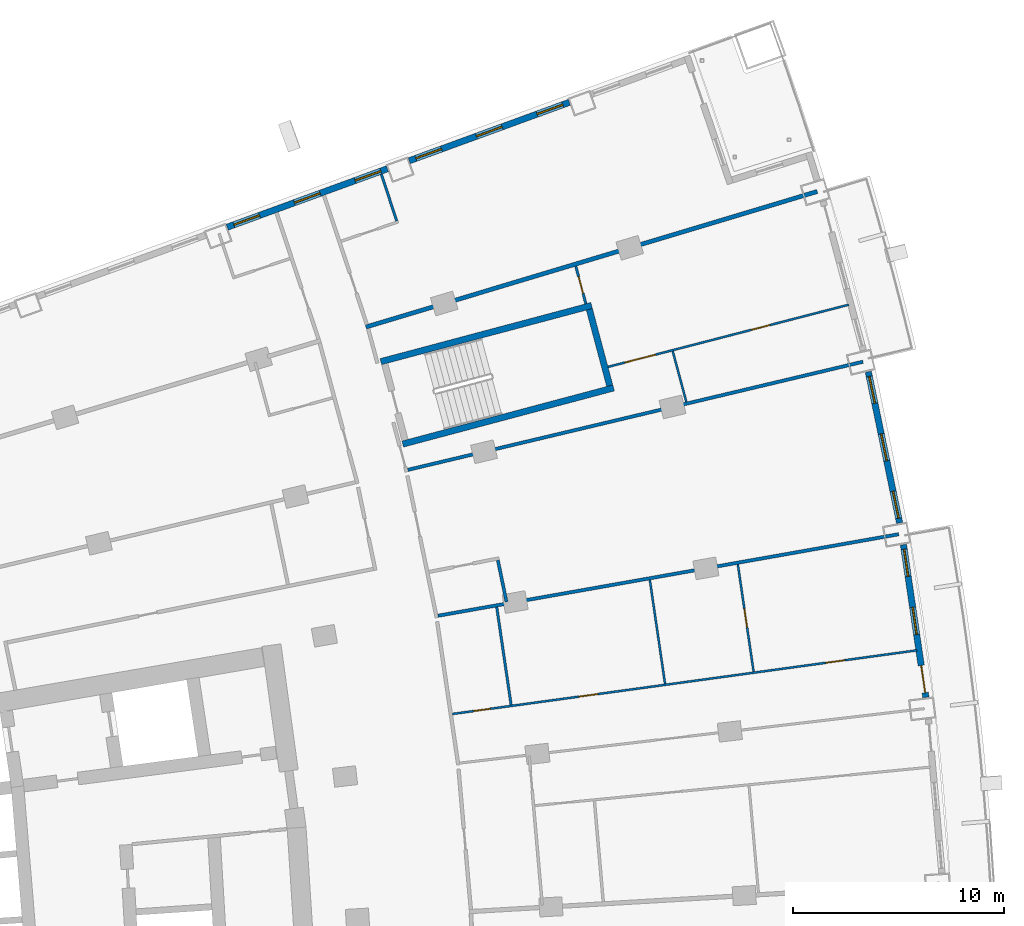
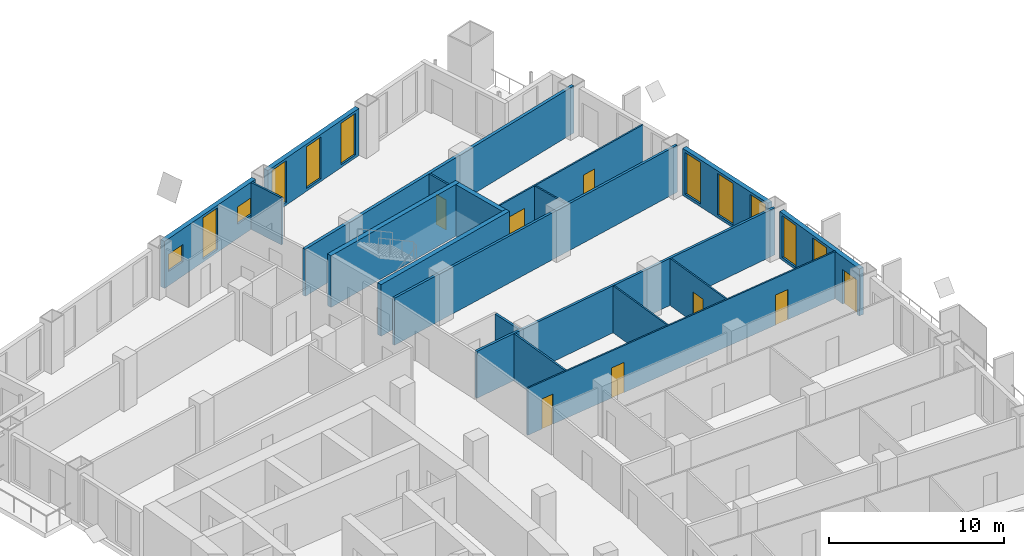
# One storey, part 20 of 24: 19 walls, 11 windows, 8 doors, 19 openings.
"""IFC4 building model written with IfcOpenShell, lengths in metres."""

from ifc_helpers import new_model, si_unit, direction, frame, frame_2d, origin, place, context, subcontext, project, spatial, rectangle, extrude, material, layer, layer_set, type_object, element, fill, save


model = new_model("IFC4")

# Units and contexts
model_context = context("Model", 3, precision=1e-05, world=origin(), true_north=direction((0.0, 1.0)))
body_context = subcontext(model_context, "Body", "Model", "MODEL_VIEW")
ifc_project = project(units=[si_unit("LENGTHUNIT", "METRE"), si_unit("AREAUNIT", "SQUARE_METRE"), si_unit("VOLUMEUNIT", "CUBIC_METRE"), si_unit("PLANEANGLEUNIT", "RADIAN"), si_unit("MASSUNIT", "GRAM", prefix="KILO")], contexts=[model_context])

# Site, building, storey
site_placement = place(None, origin())
site = spatial("IfcSite", under=ifc_project, at=site_placement, CompositionType="ELEMENT")
building_placement = place(site_placement, origin())
building = spatial("IfcBuilding", under=site, at=building_placement, Name="Alderwake Tower", CompositionType="ELEMENT")
storey_placement = place(building_placement, frame((0.0, 0.0, 39.199951171875)))
storey = spatial("IfcBuildingStorey", under=building, at=storey_placement, Name="L08", CompositionType="ELEMENT", Elevation=39.199951171875)

# Walls
ifc_material_1 = material(Name="Concrete C70/85", Category="concrete")
ifc_layer_1 = layer(ifc_material_1, 0.300048828125)
ifc_layer_set_1 = layer_set([ifc_layer_1], Name="Core wall stair enclosure 300 C70-85")
wall_type_1 = type_object("IfcWallType", Name="Core wall stair enclosure 300 C70-85", PredefinedType="SHEAR", material=ifc_layer_set_1)
for number, where, z_axis, x_axis, name in (
    (1, (36.71142578125, 94.182373046875, 0.0), (0.0, 0.0, 1.0), (0.966309214305, 0.257383958996, 0.0), "Core wall CW.082"),
    (2, (37.75390625, 90.268798828125, 0.0), (0.0, 0.0, 1.0), (0.966309214305, 0.257383958996, 0.0), "Core wall CW.084"),
):
    element("IfcWall", number, at=place(storey_placement, frame(where, z_axis=z_axis, x_axis=x_axis)), inside=storey, type_object=wall_type_1, Name=name, PredefinedType="SHEAR", context=body_context, shape_type="SweptSolid", body=[
        extrude(rectangle(XDim=10.360107421875, YDim=0.300048828125, at=frame_2d((5.18017578125, 0.0))), origin(), (0.0, 0.0, 1.0), 3.60009765625),
    ])
wall_1_placement = place(storey_placement, frame((47.581298828125, 93.041748046875, 0.0), z_axis=(0.0, 0.0, 1.0), x_axis=(-0.257366821694, 0.966313778796, 0.0)))
element("IfcWall", 3, at=wall_1_placement, inside=storey, type_object=wall_type_1, Name="Core wall CW.081", PredefinedType="SHEAR", context=body_context, shape_type="SweptSolid", body=[
    extrude(rectangle(XDim=3.749755859375, YDim=0.300048828125, at=frame_2d((1.875, 0.0))), origin(), (0.0, 0.0, 1.0), 3.60009765625),
])
ifc_material_2 = material(Name="Gypsum board on metal studs, rated")
ifc_layer_2 = layer(ifc_material_2, 0.159912109375)
ifc_layer_set_2 = layer_set([ifc_layer_2], Name="Corridor wall 160")
wall_type_2 = type_object("IfcWallType", Name="Corridor wall 160", PredefinedType="PARTITIONING", material=ifc_layer_set_2)
wall_2_placement = place(storey_placement, frame((37.994873046875, 89.04345703125, 0.0), z_axis=(0.0, 0.0, 1.0), x_axis=(0.972917524401, 0.231152526947, 0.0)))
element("IfcWall", 4, at=wall_2_placement, inside=storey, type_object=wall_type_2, Name="WL/L08/W35", PredefinedType="PARTITIONING", context=body_context, shape_type="SweptSolid", body=[
    extrude(rectangle(XDim=22.217041015625, YDim=0.159912109375, at=frame_2d((11.1083984375, 0.0))), origin(), (0.0, 0.0, 1.0), 3.280029296875),
])
wall_3_placement = place(storey_placement, frame((61.30810546875, 85.986083984375, 0.0), z_axis=(0.0, 0.0, 1.0), x_axis=(-0.984708919739, -0.174207759259, 0.0)))
element("IfcWall", 5, at=wall_3_placement, inside=storey, type_object=wall_type_2, Name="WL/L08/W43", PredefinedType="PARTITIONING", context=body_context, shape_type="SweptSolid", body=[
    extrude(rectangle(XDim=22.22119140625, YDim=0.159912109375, at=frame_2d((11.110595703125, 0.0))), origin(), (0.0, 0.0, 1.0), 3.280029296875),
])

# Wall, openings, door, windows
ifc_material_3 = material(Name="Precast concrete C50/60 spandrel panel", Category="concrete")
ifc_layer_3 = layer(ifc_material_3, 0.300048828125)
ifc_layer_set_3 = layer_set([ifc_layer_3], Name="External wall EW1 Precast concrete C50/60 spandrel")
wall_type_3 = type_object("IfcWallType", Name="External wall EW1 Precast concrete C50/60 spandrel", PredefinedType="SOLIDWALL", material=ifc_layer_set_3)
wall_4_placement = place(storey_placement, frame((62.59716796875, 78.240234375, 0.0), z_axis=(0.0, 0.0, 1.0), x_axis=(-0.145300273639, 0.989387603763, 0.0)))
wall_4 = element("IfcWall", 6, at=wall_4_placement, inside=storey, type_object=wall_type_3, Name="External wall 19", PredefinedType="SOLIDWALL", context=body_context, shape_type="SweptSolid", body=[
    extrude(rectangle(XDim=7.329345703125, YDim=0.300048828125, at=frame_2d((3.66455078125, 0.0))), origin(), (0.0, 0.0, 1.0), 3.280029296875),
])
opening_1_placement = place(wall_4_placement, frame((0.226806640625, 0.0, 0.0)))
opening_1 = element("IfcOpeningElement", 7, at=opening_1_placement, cuts=wall_4, Name="Opening D10", PredefinedType="OPENING", context=body_context, shape_type="SweptSolid", body=[
    extrude(rectangle(XDim=1.300048828125, YDim=2.39990234375, at=frame_2d((0.64990234375, 1.199951171875))), frame((0.0, 0.159912109375, 0.0), z_axis=(0.0, -1.0, 0.0), x_axis=(1.0, 0.0, 0.0)), (0.0, 0.0, 1.0), 0.320068359375),
])
opening_2_placement = place(wall_4_placement, frame((3.0146484375, 0.0, 0.199951171875)))
opening_2 = element("IfcOpeningElement", 8, at=opening_2_placement, cuts=wall_4, Name="Opening W1", PredefinedType="OPENING", context=body_context, shape_type="SweptSolid", body=[
    extrude(rectangle(XDim=1.300048828125, YDim=2.89990234375, at=frame_2d((0.64990234375, 1.449951171875))), frame((0.0, 0.159912109375, 0.0), z_axis=(0.0, -1.0, 0.0), x_axis=(1.0, 0.0, 0.0)), (0.0, 0.0, 1.0), 0.320068359375),
])
opening_3_placement = place(wall_4_placement, frame((5.802490234375, 0.0, 0.199951171875)))
opening_3 = element("IfcOpeningElement", 9, at=opening_3_placement, cuts=wall_4, Name="Opening W1", PredefinedType="OPENING", context=body_context, shape_type="SweptSolid", body=[
    extrude(rectangle(XDim=1.300048828125, YDim=2.89990234375, at=frame_2d((0.64990234375, 1.449951171875))), frame((0.0, 0.159912109375, 0.0), z_axis=(0.0, -1.0, 0.0), x_axis=(1.0, 0.0, 0.0)), (0.0, 0.0, 1.0), 0.320068359375),
])
ifc_material_4 = material(Name="Bronze tinted glass in aluminium frame", Category="aluminium")
door_type_1 = type_object("IfcDoorType", Name="Balcony door BD sliding", OperationType="SLIDING_TO_LEFT", PredefinedType="DOOR", material=ifc_material_4)
door_1_placement = place(opening_1_placement, origin())
door_1 = element("IfcDoor", 10, at=door_1_placement, inside=storey, type_object=door_type_1, Name="Door D10", OperationType="SLIDING_TO_LEFT", OverallHeight=2.39990234375, OverallWidth=1.300048828125, PredefinedType="DOOR", context=body_context, shape_type="SweptSolid", body=[
    extrude(rectangle(XDim=1.300048828125, YDim=2.39990234375, at=frame_2d((0.64990234375, 1.199951171875))), frame((0.0, 0.02490234375, 0.0), z_axis=(0.0, -1.0, 0.0), x_axis=(1.0, 0.0, 0.0)), (0.0, 0.0, 1.0), 0.050048828125),
])
fill(opening_1, door_1)
ifc_material_5 = material(Name="Bronze tinted glass in aluminium frame", Category="aluminium")
window_type_1 = type_object("IfcWindowType", Name="Window W1 tall fixed and vent", PartitioningType="DOUBLE_PANEL_VERTICAL", PredefinedType="WINDOW", material=ifc_material_5)
window_1_placement = place(opening_2_placement, origin())
window_1 = element("IfcWindow", 11, at=window_1_placement, inside=storey, type_object=window_type_1, Name="Window W1 tall fixed and vent", OverallHeight=2.89990234375, OverallWidth=1.300048828125, PartitioningType="DOUBLE_PANEL_VERTICAL", PredefinedType="WINDOW", context=body_context, shape_type="SweptSolid", body=[
    extrude(rectangle(XDim=1.300048828125, YDim=2.89990234375, at=frame_2d((0.64990234375, 1.449951171875))), frame((0.0, 0.030029296875, 0.0), z_axis=(0.0, -1.0, 0.0), x_axis=(1.0, 0.0, 0.0)), (0.0, 0.0, 1.0), 0.06005859375),
])
fill(opening_2, window_1)
window_2_placement = place(opening_3_placement, origin())
window_2 = element("IfcWindow", 12, at=window_2_placement, inside=storey, type_object=window_type_1, Name="Window W1 tall fixed and vent", OverallHeight=2.89990234375, OverallWidth=1.300048828125, PartitioningType="DOUBLE_PANEL_VERTICAL", PredefinedType="WINDOW", context=body_context, shape_type="SweptSolid", body=[
    extrude(rectangle(XDim=1.300048828125, YDim=2.89990234375, at=frame_2d((0.64990234375, 1.449951171875))), frame((0.0, 0.030029296875, 0.0), z_axis=(0.0, -1.0, 0.0), x_axis=(1.0, 0.0, 0.0)), (0.0, 0.0, 1.0), 0.06005859375),
])
fill(opening_3, window_2)

# Wall, openings, windows
wall_5_placement = place(storey_placement, frame((61.349609375, 86.5244140625, 0.0), z_axis=(0.0, 0.0, 1.0), x_axis=(-0.202760911141, 0.979228274159, 0.0)))
wall_5 = element("IfcWall", 13, at=wall_5_placement, inside=storey, type_object=wall_type_3, Name="External wall 20", PredefinedType="SOLIDWALL", context=body_context, shape_type="SweptSolid", body=[
    extrude(rectangle(XDim=7.329345703125, YDim=0.300048828125, at=frame_2d((3.66455078125, 0.0))), origin(), (0.0, 0.0, 1.0), 3.280029296875),
])
opening_4_placement = place(wall_5_placement, frame((0.226806640625, 0.0, 0.199951171875)))
opening_4 = element("IfcOpeningElement", 14, at=opening_4_placement, cuts=wall_5, Name="Opening W1", PredefinedType="OPENING", context=body_context, shape_type="SweptSolid", body=[
    extrude(rectangle(XDim=1.300048828125, YDim=2.89990234375, at=frame_2d((0.64990234375, 1.449951171875))), frame((0.0, 0.159912109375, 0.0), z_axis=(0.0, -1.0, 0.0), x_axis=(1.0, 0.0, 0.0)), (0.0, 0.0, 1.0), 0.320068359375),
])
opening_5_placement = place(wall_5_placement, frame((3.0146484375, 0.0, 0.199951171875)))
opening_5 = element("IfcOpeningElement", 15, at=opening_5_placement, cuts=wall_5, Name="Opening W1", PredefinedType="OPENING", context=body_context, shape_type="SweptSolid", body=[
    extrude(rectangle(XDim=1.300048828125, YDim=2.89990234375, at=frame_2d((0.64990234375, 1.449951171875))), frame((0.0, 0.159912109375, 0.0), z_axis=(0.0, -1.0, 0.0), x_axis=(1.0, 0.0, 0.0)), (0.0, 0.0, 1.0), 0.320068359375),
])
opening_6_placement = place(wall_5_placement, frame((5.802490234375, 0.0, 0.199951171875)))
opening_6 = element("IfcOpeningElement", 16, at=opening_6_placement, cuts=wall_5, Name="Opening W1", PredefinedType="OPENING", context=body_context, shape_type="SweptSolid", body=[
    extrude(rectangle(XDim=1.300048828125, YDim=2.89990234375, at=frame_2d((0.64990234375, 1.449951171875))), frame((0.0, 0.159912109375, 0.0), z_axis=(0.0, -1.0, 0.0), x_axis=(1.0, 0.0, 0.0)), (0.0, 0.0, 1.0), 0.320068359375),
])
window_3_placement = place(opening_4_placement, origin())
window_3 = element("IfcWindow", 17, at=window_3_placement, inside=storey, type_object=window_type_1, Name="Window W1 tall fixed and vent", OverallHeight=2.89990234375, OverallWidth=1.300048828125, PartitioningType="DOUBLE_PANEL_VERTICAL", PredefinedType="WINDOW", context=body_context, shape_type="SweptSolid", body=[
    extrude(rectangle(XDim=1.300048828125, YDim=2.89990234375, at=frame_2d((0.64990234375, 1.449951171875))), frame((0.0, 0.030029296875, 0.0), z_axis=(0.0, -1.0, 0.0), x_axis=(1.0, 0.0, 0.0)), (0.0, 0.0, 1.0), 0.06005859375),
])
fill(opening_4, window_3)
window_4_placement = place(opening_5_placement, origin())
window_4 = element("IfcWindow", 18, at=window_4_placement, inside=storey, type_object=window_type_1, Name="Window W1 tall fixed and vent", OverallHeight=2.89990234375, OverallWidth=1.300048828125, PartitioningType="DOUBLE_PANEL_VERTICAL", PredefinedType="WINDOW", context=body_context, shape_type="SweptSolid", body=[
    extrude(rectangle(XDim=1.300048828125, YDim=2.89990234375, at=frame_2d((0.64990234375, 1.449951171875))), frame((0.0, 0.030029296875, 0.0), z_axis=(0.0, -1.0, 0.0), x_axis=(1.0, 0.0, 0.0)), (0.0, 0.0, 1.0), 0.06005859375),
])
fill(opening_5, window_4)
window_5_placement = place(opening_6_placement, origin())
window_5 = element("IfcWindow", 19, at=window_5_placement, inside=storey, type_object=window_type_1, Name="Window W1 tall fixed and vent", OverallHeight=2.89990234375, OverallWidth=1.300048828125, PartitioningType="DOUBLE_PANEL_VERTICAL", PredefinedType="WINDOW", context=body_context, shape_type="SweptSolid", body=[
    extrude(rectangle(XDim=1.300048828125, YDim=2.89990234375, at=frame_2d((0.64990234375, 1.449951171875))), frame((0.0, 0.030029296875, 0.0), z_axis=(0.0, -1.0, 0.0), x_axis=(1.0, 0.0, 0.0)), (0.0, 0.0, 1.0), 0.06005859375),
])
fill(opening_6, window_5)

ifc_material_6 = material(Name="Bronze metal cladding on lightweight framing")
ifc_layer_4 = layer(ifc_material_6, 0.300048828125)
ifc_layer_set_4 = layer_set([ifc_layer_4], Name="External wall EW2 bronze metal cladding")
wall_type_4 = type_object("IfcWallType", Name="External wall EW2 bronze metal cladding", PredefinedType="SOLIDWALL", material=ifc_layer_set_4)
wall_6_placement = place(storey_placement, frame((45.6640625, 106.498291015625, 0.0), z_axis=(0.0, 0.0, 1.0), x_axis=(-0.939382451577, -0.342871126912, 0.0)))
wall_6 = element("IfcWall", 20, at=wall_6_placement, inside=storey, type_object=wall_type_4, Name="External wall 26", PredefinedType="SOLIDWALL", context=body_context, shape_type="SweptSolid", body=[
    extrude(rectangle(XDim=8.095947265625, YDim=0.300048828125, at=frame_2d((4.0478515625, 0.0))), origin(), (0.0, 0.0, 1.0), 3.280029296875),
])
opening_7_placement = place(wall_6_placement, frame((0.331298828125, 0.0, 0.199951171875)))
opening_7 = element("IfcOpeningElement", 21, at=opening_7_placement, cuts=wall_6, Name="Opening W1", PredefinedType="OPENING", context=body_context, shape_type="SweptSolid", body=[
    extrude(rectangle(XDim=1.300048828125, YDim=2.89990234375, at=frame_2d((0.64990234375, 1.449951171875))), frame((0.0, 0.159912109375, 0.0), z_axis=(0.0, -1.0, 0.0), x_axis=(1.0, 0.0, 0.0)), (0.0, 0.0, 1.0), 0.320068359375),
])
opening_8_placement = place(wall_6_placement, frame((3.39794921875, 0.0, 0.199951171875)))
opening_8 = element("IfcOpeningElement", 22, at=opening_8_placement, cuts=wall_6, Name="Opening W1", PredefinedType="OPENING", context=body_context, shape_type="SweptSolid", body=[
    extrude(rectangle(XDim=1.300048828125, YDim=2.89990234375, at=frame_2d((0.64990234375, 1.449951171875))), frame((0.0, 0.159912109375, 0.0), z_axis=(0.0, -1.0, 0.0), x_axis=(1.0, 0.0, 0.0)), (0.0, 0.0, 1.0), 0.320068359375),
])
opening_9_placement = place(wall_6_placement, frame((6.464599609375, 0.0, 0.199951171875)))
opening_9 = element("IfcOpeningElement", 23, at=opening_9_placement, cuts=wall_6, Name="Opening W1", PredefinedType="OPENING", context=body_context, shape_type="SweptSolid", body=[
    extrude(rectangle(XDim=1.300048828125, YDim=2.89990234375, at=frame_2d((0.64990234375, 1.449951171875))), frame((0.0, 0.159912109375, 0.0), z_axis=(0.0, -1.0, 0.0), x_axis=(1.0, 0.0, 0.0)), (0.0, 0.0, 1.0), 0.320068359375),
])
window_6_placement = place(opening_7_placement, origin())
window_6 = element("IfcWindow", 24, at=window_6_placement, inside=storey, type_object=window_type_1, Name="Window W1 tall fixed and vent", OverallHeight=2.89990234375, OverallWidth=1.300048828125, PartitioningType="DOUBLE_PANEL_VERTICAL", PredefinedType="WINDOW", context=body_context, shape_type="SweptSolid", body=[
    extrude(rectangle(XDim=1.300048828125, YDim=2.89990234375, at=frame_2d((0.64990234375, 1.449951171875))), frame((0.0, 0.030029296875, 0.0), z_axis=(0.0, -1.0, 0.0), x_axis=(1.0, 0.0, 0.0)), (0.0, 0.0, 1.0), 0.06005859375),
])
fill(opening_7, window_6)
window_7_placement = place(opening_8_placement, origin())
window_7 = element("IfcWindow", 25, at=window_7_placement, inside=storey, type_object=window_type_1, Name="Window W1 tall fixed and vent", OverallHeight=2.89990234375, OverallWidth=1.300048828125, PartitioningType="DOUBLE_PANEL_VERTICAL", PredefinedType="WINDOW", context=body_context, shape_type="SweptSolid", body=[
    extrude(rectangle(XDim=1.300048828125, YDim=2.89990234375, at=frame_2d((0.64990234375, 1.449951171875))), frame((0.0, 0.030029296875, 0.0), z_axis=(0.0, -1.0, 0.0), x_axis=(1.0, 0.0, 0.0)), (0.0, 0.0, 1.0), 0.06005859375),
])
fill(opening_8, window_7)
window_8_placement = place(opening_9_placement, origin())
window_8 = element("IfcWindow", 26, at=window_8_placement, inside=storey, type_object=window_type_1, Name="Window W1 tall fixed and vent", OverallHeight=2.89990234375, OverallWidth=1.300048828125, PartitioningType="DOUBLE_PANEL_VERTICAL", PredefinedType="WINDOW", context=body_context, shape_type="SweptSolid", body=[
    extrude(rectangle(XDim=1.300048828125, YDim=2.89990234375, at=frame_2d((0.64990234375, 1.449951171875))), frame((0.0, 0.030029296875, 0.0), z_axis=(0.0, -1.0, 0.0), x_axis=(1.0, 0.0, 0.0)), (0.0, 0.0, 1.0), 0.06005859375),
])
fill(opening_9, window_8)

wall_7_placement = place(storey_placement, frame((37.021484375, 103.343505859375, 0.0), z_axis=(0.0, 0.0, 1.0), x_axis=(-0.939375360712, -0.34289055351, 0.0)))
wall_7 = element("IfcWall", 27, at=wall_7_placement, inside=storey, type_object=wall_type_4, Name="External wall 27", PredefinedType="SOLIDWALL", context=body_context, shape_type="SweptSolid", body=[
    extrude(rectangle(XDim=8.095458984375, YDim=0.300048828125, at=frame_2d((4.0478515625, 0.0))), origin(), (0.0, 0.0, 1.0), 3.280029296875),
])
opening_10_placement = place(wall_7_placement, frame((0.331298828125, 0.0, 1.0)))
opening_10 = element("IfcOpeningElement", 28, at=opening_10_placement, cuts=wall_7, Name="Opening W2", PredefinedType="OPENING", context=body_context, shape_type="SweptSolid", body=[
    extrude(rectangle(XDim=1.300048828125, YDim=1.199951171875, at=frame_2d((0.64990234375, 0.60009765625))), frame((0.0, 0.159912109375, 0.0), z_axis=(0.0, -1.0, 0.0), x_axis=(1.0, 0.0, 0.0)), (0.0, 0.0, 1.0), 0.320068359375),
])
opening_11_placement = place(wall_7_placement, frame((3.39794921875, 0.0, 0.199951171875)))
opening_11 = element("IfcOpeningElement", 29, at=opening_11_placement, cuts=wall_7, Name="Opening W1", PredefinedType="OPENING", context=body_context, shape_type="SweptSolid", body=[
    extrude(rectangle(XDim=1.300048828125, YDim=2.89990234375, at=frame_2d((0.64990234375, 1.449951171875))), frame((0.0, 0.159912109375, 0.0), z_axis=(0.0, -1.0, 0.0), x_axis=(1.0, 0.0, 0.0)), (0.0, 0.0, 1.0), 0.320068359375),
])
opening_12_placement = place(wall_7_placement, frame((6.464599609375, 0.0, 1.0)))
opening_12 = element("IfcOpeningElement", 30, at=opening_12_placement, cuts=wall_7, Name="Opening W2", PredefinedType="OPENING", context=body_context, shape_type="SweptSolid", body=[
    extrude(rectangle(XDim=1.300048828125, YDim=1.199951171875, at=frame_2d((0.64990234375, 0.60009765625))), frame((0.0, 0.159912109375, 0.0), z_axis=(0.0, -1.0, 0.0), x_axis=(1.0, 0.0, 0.0)), (0.0, 0.0, 1.0), 0.320068359375),
])
window_9_placement = place(opening_11_placement, origin())
window_9 = element("IfcWindow", 31, at=window_9_placement, inside=storey, type_object=window_type_1, Name="Window W1 tall fixed and vent", OverallHeight=2.89990234375, OverallWidth=1.300048828125, PartitioningType="DOUBLE_PANEL_VERTICAL", PredefinedType="WINDOW", context=body_context, shape_type="SweptSolid", body=[
    extrude(rectangle(XDim=1.300048828125, YDim=2.89990234375, at=frame_2d((0.64990234375, 1.449951171875))), frame((0.0, 0.030029296875, 0.0), z_axis=(0.0, -1.0, 0.0), x_axis=(1.0, 0.0, 0.0)), (0.0, 0.0, 1.0), 0.06005859375),
])
fill(opening_11, window_9)
ifc_material_7 = material(Name="Bronze tinted glass in aluminium frame", Category="aluminium")
window_type_2 = type_object("IfcWindowType", Name="Window W2 kitchen and bath", PartitioningType="SINGLE_PANEL", PredefinedType="WINDOW", material=ifc_material_7)
window_10_placement = place(opening_10_placement, origin())
window_10 = element("IfcWindow", 32, at=window_10_placement, inside=storey, type_object=window_type_2, Name="Window W2 kitchen and bath", OverallHeight=1.199951171875, OverallWidth=1.300048828125, PartitioningType="SINGLE_PANEL", PredefinedType="WINDOW", context=body_context, shape_type="SweptSolid", body=[
    extrude(rectangle(XDim=1.300048828125, YDim=1.199951171875, at=frame_2d((0.64990234375, 0.60009765625))), frame((0.0, 0.030029296875, 0.0), z_axis=(0.0, -1.0, 0.0), x_axis=(1.0, 0.0, 0.0)), (0.0, 0.0, 1.0), 0.06005859375),
])
fill(opening_10, window_10)
window_11_placement = place(opening_12_placement, origin())
window_11 = element("IfcWindow", 33, at=window_11_placement, inside=storey, type_object=window_type_2, Name="Window W2 kitchen and bath", OverallHeight=1.199951171875, OverallWidth=1.300048828125, PartitioningType="SINGLE_PANEL", PredefinedType="WINDOW", context=body_context, shape_type="SweptSolid", body=[
    extrude(rectangle(XDim=1.300048828125, YDim=1.199951171875, at=frame_2d((0.64990234375, 0.60009765625))), frame((0.0, 0.030029296875, 0.0), z_axis=(0.0, -1.0, 0.0), x_axis=(1.0, 0.0, 0.0)), (0.0, 0.0, 1.0), 0.06005859375),
])
fill(opening_12, window_11)

# Walls
ifc_material_8 = material(Name="Dense block masonry wall", Category="masonry")
ifc_layer_5 = layer(ifc_material_8, 0.199951171875)
ifc_layer_set_5 = layer_set([ifc_layer_5], Name="Party wall 200")
wall_type_5 = type_object("IfcWallType", Name="Party wall 200", PredefinedType="SOLIDWALL", material=ifc_layer_set_5)
wall_8_placement = place(storey_placement, frame((57.43798828125, 102.263916015625, 0.0), z_axis=(0.0, 0.0, 1.0), x_axis=(-0.957740971091, -0.287632112764, 0.0)))
element("IfcWall", 34, at=wall_8_placement, inside=storey, type_object=wall_type_5, Name="WL/L08/W07", PredefinedType="SOLIDWALL", context=body_context, shape_type="SweptSolid", body=[
    extrude(rectangle(XDim=22.37939453125, YDim=0.199951171875, at=frame_2d((11.189697265625, 0.0))), origin(), (0.0, 0.0, 1.0), 3.280029296875),
])
ifc_material_9 = material(Name="Gypsum shaft wall system, rated")
ifc_layer_6 = layer(ifc_material_9, 0.14990234375)
ifc_layer_set_6 = layer_set([ifc_layer_6], Name="Riser and shaft wall 150")
wall_type_6 = type_object("IfcWallType", Name="Riser and shaft wall 150", PredefinedType="PARTITIONING", material=ifc_layer_set_6)
wall_9_placement = place(storey_placement, frame((42.6796875, 82.7734375, 0.0), z_axis=(0.0, 0.0, 1.0), x_axis=(-0.202402059343, 0.979302510144, 0.0)))
element("IfcWall", 35, at=wall_9_placement, inside=storey, type_object=wall_type_6, Name="WL/L08/W15", PredefinedType="PARTITIONING", context=body_context, shape_type="SweptSolid", body=[
    extrude(rectangle(XDim=2.022705078125, YDim=0.14990234375, at=frame_2d((1.01123046875, 0.0))), origin(), (0.0, 0.0, 1.0), 3.280029296875),
])

# Wall, openings, doors
ifc_material_10 = material(Name="Gypsum board on metal studs")
ifc_layer_7 = layer(ifc_material_10, 0.10009765625)
ifc_layer_set_7 = layer_set([ifc_layer_7], Name="Unit partition 100")
wall_type_7 = type_object("IfcWallType", Name="Unit partition 100", PredefinedType="PARTITIONING", material=ifc_layer_set_7)
wall_10_placement = place(storey_placement, frame((40.1142578125, 77.449951171875, 0.0), z_axis=(0.0, 0.0, 1.0), x_axis=(0.990742667714, 0.135753329137, 0.0)))
wall_10 = element("IfcWall", 36, at=wall_10_placement, inside=storey, type_object=wall_type_7, Name="WL/L08/W68", PredefinedType="PARTITIONING", context=body_context, shape_type="SweptSolid", body=[
    extrude(rectangle(XDim=22.2607421875, YDim=0.10009765625, at=frame_2d((11.13037109375, 0.0))), origin(), (0.0, 0.0, 1.0), 3.280029296875),
])
opening_13_placement = place(wall_10_placement, frame((6.0576171875, 0.0, 0.0)))
opening_13 = element("IfcOpeningElement", 37, at=opening_13_placement, cuts=wall_10, Name="Opening R01-U09.6", PredefinedType="OPENING", context=body_context, shape_type="SweptSolid", body=[
    extrude(rectangle(XDim=0.89990234375, YDim=2.10009765625, at=frame_2d((0.449951171875, 1.050048828125))), frame((0.0, 0.06005859375, 0.0), z_axis=(0.0, -1.0, 0.0), x_axis=(1.0, 0.0, 0.0)), (0.0, 0.0, 1.0), 0.1201171875),
])
opening_14_placement = place(wall_10_placement, frame((1.0087890625, 0.0, 0.0)))
opening_14 = element("IfcOpeningElement", 38, at=opening_14_placement, cuts=wall_10, Name="Opening R01-U09.7", PredefinedType="OPENING", context=body_context, shape_type="SweptSolid", body=[
    extrude(rectangle(XDim=0.800048828125, YDim=2.10009765625, at=frame_2d((0.39990234375, 1.050048828125))), frame((0.0, 0.06005859375, 0.0), z_axis=(0.0, -1.0, 0.0), x_axis=(1.0, 0.0, 0.0)), (0.0, 0.0, 1.0), 0.1201171875),
])
opening_15_placement = place(wall_10_placement, frame((17.901123046875, 0.0, 0.0)))
opening_15 = element("IfcOpeningElement", 39, at=opening_15_placement, cuts=wall_10, Name="Opening R01-U09.8", PredefinedType="OPENING", context=body_context, shape_type="SweptSolid", body=[
    extrude(rectangle(XDim=0.89990234375, YDim=2.10009765625, at=frame_2d((0.449951171875, 1.050048828125))), frame((0.0, 0.06005859375, 0.0), z_axis=(0.0, -1.0, 0.0), x_axis=(1.0, 0.0, 0.0)), (0.0, 0.0, 1.0), 0.1201171875),
])
ifc_material_11 = material(Name="Painted timber leaf", Category="wood")
door_type_2 = type_object("IfcDoorType", Name="Bathroom door 800", OperationType="SINGLE_SWING_LEFT", PredefinedType="DOOR", material=ifc_material_11)
door_2_placement = place(opening_14_placement, origin())
door_2 = element("IfcDoor", 40, at=door_2_placement, inside=storey, type_object=door_type_2, Name="DR/L08/U09.7", OperationType="SINGLE_SWING_LEFT", OverallHeight=2.10009765625, OverallWidth=0.800048828125, PredefinedType="DOOR", context=body_context, shape_type="SweptSolid", body=[
    extrude(rectangle(XDim=0.800048828125, YDim=2.10009765625, at=frame_2d((0.39990234375, 1.050048828125))), frame((0.0, 0.02490234375, 0.0), z_axis=(0.0, -1.0, 0.0), x_axis=(1.0, 0.0, 0.0)), (0.0, 0.0, 1.0), 0.050048828125),
])
fill(opening_14, door_2)
ifc_material_12 = material(Name="Painted timber leaf", Category="wood")
door_type_3 = type_object("IfcDoorType", Name="Room door 900", OperationType="SINGLE_SWING_LEFT", PredefinedType="DOOR", material=ifc_material_12)
door_3_placement = place(opening_13_placement, origin())
door_3 = element("IfcDoor", 41, at=door_3_placement, inside=storey, type_object=door_type_3, Name="DR/L08/U09.6", OperationType="SINGLE_SWING_LEFT", OverallHeight=2.10009765625, OverallWidth=0.89990234375, PredefinedType="DOOR", context=body_context, shape_type="SweptSolid", body=[
    extrude(rectangle(XDim=0.89990234375, YDim=2.10009765625, at=frame_2d((0.449951171875, 1.050048828125))), frame((0.0, 0.02490234375, 0.0), z_axis=(0.0, -1.0, 0.0), x_axis=(1.0, 0.0, 0.0)), (0.0, 0.0, 1.0), 0.050048828125),
])
fill(opening_13, door_3)
door_4_placement = place(opening_15_placement, origin())
door_4 = element("IfcDoor", 42, at=door_4_placement, inside=storey, type_object=door_type_3, Name="DR/L08/U09.8", OperationType="SINGLE_SWING_LEFT", OverallHeight=2.10009765625, OverallWidth=0.89990234375, PredefinedType="DOOR", context=body_context, shape_type="SweptSolid", body=[
    extrude(rectangle(XDim=0.89990234375, YDim=2.10009765625, at=frame_2d((0.449951171875, 1.050048828125))), frame((0.0, 0.02490234375, 0.0), z_axis=(0.0, -1.0, 0.0), x_axis=(1.0, 0.0, 0.0)), (0.0, 0.0, 1.0), 0.050048828125),
])
fill(opening_15, door_4)

wall_11_placement = place(storey_placement, frame((47.4990234375, 93.93310546875, 0.0), z_axis=(0.0, 0.0, 1.0), x_axis=(0.968219073659, 0.250103629327, 0.0)))
wall_11 = element("IfcWall", 43, at=wall_11_placement, inside=storey, type_object=wall_type_7, Name="WL/L08/W75", PredefinedType="PARTITIONING", context=body_context, shape_type="SweptSolid", body=[
    extrude(rectangle(XDim=11.814453125, YDim=0.10009765625, at=frame_2d((5.9072265625, 0.0))), origin(), (0.0, 0.0, 1.0), 3.280029296875),
])
opening_16_placement = place(wall_11_placement, frame((0.831787109375, 0.0, 0.0)))
opening_16 = element("IfcOpeningElement", 44, at=opening_16_placement, cuts=wall_11, Name="Opening R01-U02.2", PredefinedType="OPENING", context=body_context, shape_type="SweptSolid", body=[
    extrude(rectangle(XDim=1.5, YDim=2.10009765625, at=frame_2d((0.75, 1.050048828125))), frame((0.0, 0.06005859375, 0.0), z_axis=(0.0, -1.0, 0.0), x_axis=(1.0, 0.0, 0.0)), (0.0, 0.0, 1.0), 0.1201171875),
])
opening_17_placement = place(wall_11_placement, frame((7.0380859375, 0.0, 0.0)))
opening_17 = element("IfcOpeningElement", 45, at=opening_17_placement, cuts=wall_11, Name="Opening R01-U02.3", PredefinedType="OPENING", context=body_context, shape_type="SweptSolid", body=[
    extrude(rectangle(XDim=0.89990234375, YDim=2.10009765625, at=frame_2d((0.449951171875, 1.050048828125))), frame((0.0, 0.06005859375, 0.0), z_axis=(0.0, -1.0, 0.0), x_axis=(1.0, 0.0, 0.0)), (0.0, 0.0, 1.0), 0.1201171875),
])
ifc_material_13 = material(Name="Painted timber leaves", Category="wood")
door_type_4 = type_object("IfcDoorType", Name="Double leaf door 1500", OperationType="DOUBLE_DOOR_SINGLE_SWING", PredefinedType="DOOR", material=ifc_material_13)
door_5_placement = place(opening_16_placement, origin())
door_5 = element("IfcDoor", 46, at=door_5_placement, inside=storey, type_object=door_type_4, Name="DR/L08/U02.2", OperationType="DOUBLE_DOOR_SINGLE_SWING", OverallHeight=2.10009765625, OverallWidth=1.5, PredefinedType="DOOR", context=body_context, shape_type="SweptSolid", body=[
    extrude(rectangle(XDim=1.5, YDim=2.10009765625, at=frame_2d((0.75, 1.050048828125))), frame((0.0, 0.02490234375, 0.0), z_axis=(0.0, -1.0, 0.0), x_axis=(1.0, 0.0, 0.0)), (0.0, 0.0, 1.0), 0.050048828125),
])
fill(opening_16, door_5)
door_6_placement = place(opening_17_placement, origin())
door_6 = element("IfcDoor", 47, at=door_6_placement, inside=storey, type_object=door_type_3, Name="DR/L08/U02.3", OperationType="SINGLE_SWING_LEFT", OverallHeight=2.10009765625, OverallWidth=0.89990234375, PredefinedType="DOOR", context=body_context, shape_type="SweptSolid", body=[
    extrude(rectangle(XDim=0.89990234375, YDim=2.10009765625, at=frame_2d((0.449951171875, 1.050048828125))), frame((0.0, 0.02490234375, 0.0), z_axis=(0.0, -1.0, 0.0), x_axis=(1.0, 0.0, 0.0)), (0.0, 0.0, 1.0), 0.050048828125),
])
fill(opening_17, door_6)

# Walls
wall_12_placement = place(storey_placement, frame((50.209716796875, 78.883544921875, 0.0), z_axis=(0.0, 0.0, 1.0), x_axis=(-0.144960667826, 0.989437418326, 0.0)))
element("IfcWall", 48, at=wall_12_placement, inside=storey, type_object=wall_type_7, Name="WL/L08/W78", PredefinedType="PARTITIONING", context=body_context, shape_type="SweptSolid", body=[
    extrude(rectangle(XDim=4.98193359375, YDim=0.10009765625, at=frame_2d((2.490966796875, 0.0))), origin(), (0.0, 0.0, 1.0), 3.280029296875),
])
wall_13_placement = place(storey_placement, frame((51.22216796875, 92.267333984375, 0.0), z_axis=(0.0, 0.0, 1.0), x_axis=(-0.259422454938, 0.965763941072, 0.0)))
element("IfcWall", 49, at=wall_13_placement, inside=storey, type_object=wall_type_7, Name="WL/L08/W81", PredefinedType="PARTITIONING", context=body_context, shape_type="SweptSolid", body=[
    extrude(rectangle(XDim=2.494873046875, YDim=0.10009765625, at=frame_2d((1.24755859375, 0.0))), origin(), (0.0, 0.0, 1.0), 3.280029296875),
])

# Wall, opening, door
wall_14_placement = place(storey_placement, frame((54.415771484375, 79.45947265625, 0.0), z_axis=(0.0, 0.0, 1.0), x_axis=(-0.145597790448, 0.989343865103, 0.0)))
wall_14 = element("IfcWall", 50, at=wall_14_placement, inside=storey, type_object=wall_type_7, Name="WL/L08/W86", PredefinedType="PARTITIONING", context=body_context, shape_type="SweptSolid", body=[
    extrude(rectangle(XDim=5.146240234375, YDim=0.10009765625, at=frame_2d((2.5732421875, 0.0))), origin(), (0.0, 0.0, 1.0), 3.280029296875),
])
opening_18_placement = place(wall_14_placement, frame((2.123046875, 0.0, 0.0)))
opening_18 = element("IfcOpeningElement", 51, at=opening_18_placement, cuts=wall_14, Name="Opening R01-U09.9", PredefinedType="OPENING", context=body_context, shape_type="SweptSolid", body=[
    extrude(rectangle(XDim=0.89990234375, YDim=2.10009765625, at=frame_2d((0.449951171875, 1.050048828125))), frame((0.0, 0.06005859375, 0.0), z_axis=(0.0, -1.0, 0.0), x_axis=(1.0, 0.0, 0.0)), (0.0, 0.0, 1.0), 0.1201171875),
])
door_7_placement = place(opening_18_placement, origin())
door_7 = element("IfcDoor", 52, at=door_7_placement, inside=storey, type_object=door_type_3, Name="DR/L08/U09.9", OperationType="SINGLE_SWING_LEFT", OverallHeight=2.10009765625, OverallWidth=0.89990234375, PredefinedType="DOOR", context=body_context, shape_type="SweptSolid", body=[
    extrude(rectangle(XDim=0.89990234375, YDim=2.10009765625, at=frame_2d((0.449951171875, 1.050048828125))), frame((0.0, 0.02490234375, 0.0), z_axis=(0.0, -1.0, 0.0), x_axis=(1.0, 0.0, 0.0)), (0.0, 0.0, 1.0), 0.050048828125),
])
fill(opening_18, door_7)

# Walls
ifc_material_14 = material(Name="Moisture resistant gypsum board on metal studs")
ifc_layer_8 = layer(ifc_material_14, 0.1201171875)
ifc_layer_set_8 = layer_set([ifc_layer_8], Name="Wet room partition 120")
wall_type_8 = type_object("IfcWallType", Name="Wet room partition 120", PredefinedType="PARTITIONING", material=ifc_layer_set_8)
wall_15_placement = place(storey_placement, frame((37.468994140625, 100.863037109375, 0.0), z_axis=(0.0, 0.0, 1.0), x_axis=(-0.314251248963, 0.94933985091, 0.0)))
element("IfcWall", 53, at=wall_15_placement, inside=storey, type_object=wall_type_8, Name="WL/L08/W55", PredefinedType="PARTITIONING", context=body_context, shape_type="SweptSolid", body=[
    extrude(rectangle(XDim=2.33544921875, YDim=0.1201171875, at=frame_2d((1.167724609375, 0.0))), origin(), (0.0, 0.0, 1.0), 3.280029296875),
])
wall_16_placement = place(storey_placement, frame((42.898681640625, 77.881591796875, 0.0), z_axis=(0.0, 0.0, 1.0), x_axis=(-0.145429646978, 0.989368595509, 0.0)))
element("IfcWall", 54, at=wall_16_placement, inside=storey, type_object=wall_type_8, Name="WL/L08/W58", PredefinedType="PARTITIONING", context=body_context, shape_type="SweptSolid", body=[
    extrude(rectangle(XDim=4.697265625, YDim=0.1201171875, at=frame_2d((2.3486328125, 0.0))), origin(), (0.0, 0.0, 1.0), 3.280029296875),
])

# Wall, opening, door
wall_17_placement = place(storey_placement, frame((46.448974609375, 96.929931640625, 0.0), z_axis=(0.0, 0.0, 1.0), x_axis=(-0.258764710752, 0.965940383497, 0.0)))
wall_17 = element("IfcWall", 55, at=wall_17_placement, inside=storey, type_object=wall_type_8, Name="WL/L08/W63", PredefinedType="PARTITIONING", context=body_context, shape_type="SweptSolid", body=[
    extrude(rectangle(XDim=1.847412109375, YDim=0.1201171875, at=frame_2d((0.923828125, 0.0))), origin(), (0.0, 0.0, 1.0), 3.280029296875),
])
opening_19_placement = place(wall_17_placement, frame((0.524169921875, 0.0, 0.0)))
opening_19 = element("IfcOpeningElement", 56, at=opening_19_placement, cuts=wall_17, Name="Opening R01-U02.4", PredefinedType="OPENING", context=body_context, shape_type="SweptSolid", body=[
    extrude(rectangle(XDim=0.800048828125, YDim=2.10009765625, at=frame_2d((0.39990234375, 1.050048828125))), frame((0.0, 0.070068359375, 0.0), z_axis=(0.0, -1.0, 0.0), x_axis=(1.0, 0.0, 0.0)), (0.0, 0.0, 1.0), 0.14013671875),
])
door_8_placement = place(opening_19_placement, origin())
door_8 = element("IfcDoor", 57, at=door_8_placement, inside=storey, type_object=door_type_2, Name="DR/L08/U02.4", OperationType="SINGLE_SWING_LEFT", OverallHeight=2.10009765625, OverallWidth=0.800048828125, PredefinedType="DOOR", context=body_context, shape_type="SweptSolid", body=[
    extrude(rectangle(XDim=0.800048828125, YDim=2.10009765625, at=frame_2d((0.39990234375, 1.050048828125))), frame((0.0, 0.02490234375, 0.0), z_axis=(0.0, -1.0, 0.0), x_axis=(1.0, 0.0, 0.0)), (0.0, 0.0, 1.0), 0.050048828125),
])
fill(opening_19, door_8)

save(model, "model.ifc")
